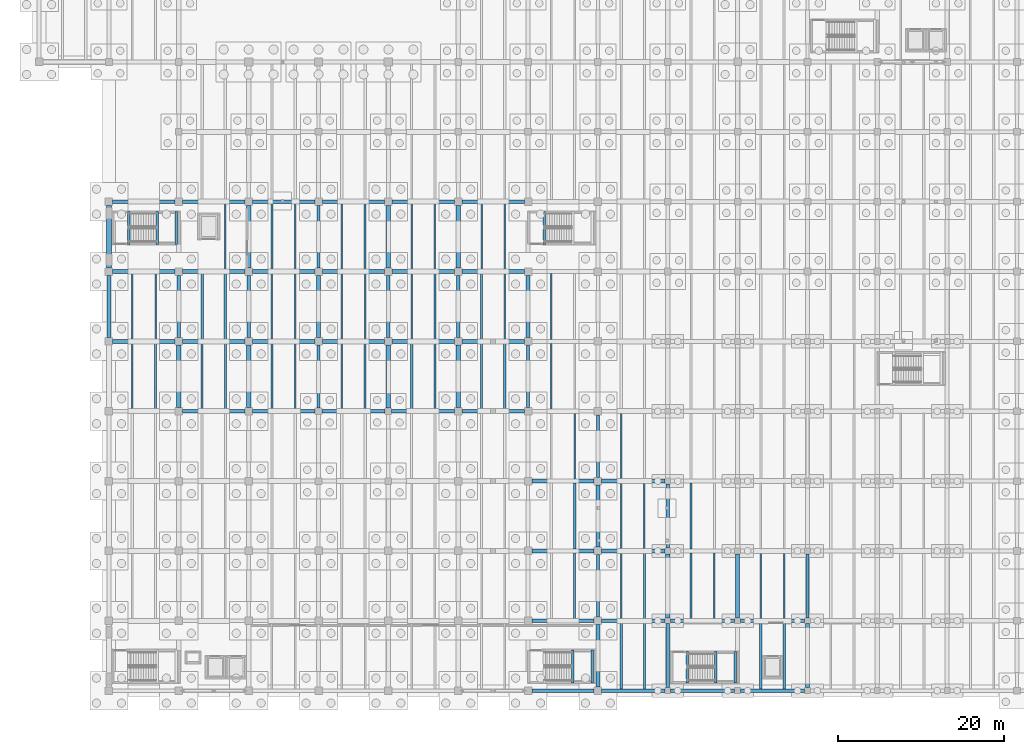
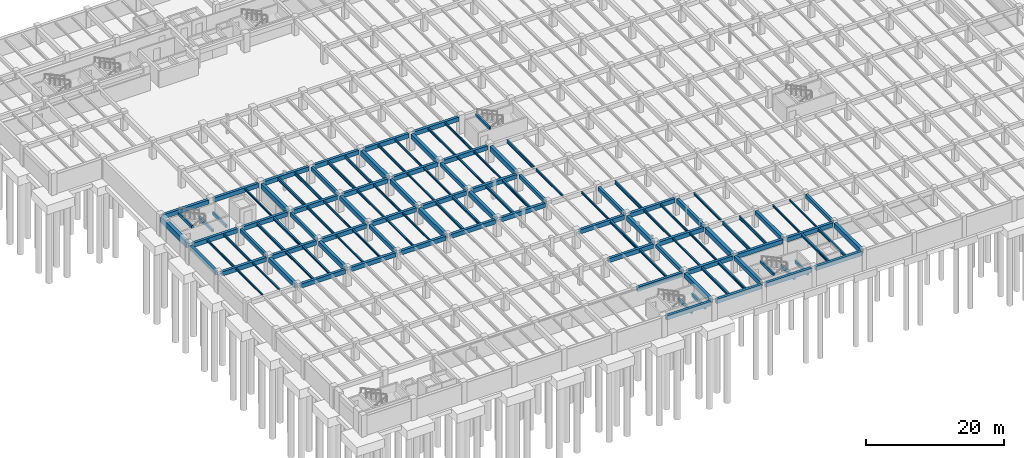
# One storey, part 25 of 70: 124 beams.
"""IFC4 building model written with IfcOpenShell, lengths in metres."""

from ifc_helpers import new_model, si_unit, direction, frame, origin, origin_2d, place, context, subcontext, project, spatial, rectangle, i_section, extrude, material, material_profile, profile_set, type_object, element, save


model = new_model("IFC4")

# Units and contexts
model_context = context("Model", 3, precision=1e-05, world=origin(), true_north=direction((0.0, 1.0)))
body_context = subcontext(model_context, "Body", "Model", "MODEL_VIEW")
ifc_project = project(units=[si_unit("LENGTHUNIT", "METRE"), si_unit("AREAUNIT", "SQUARE_METRE"), si_unit("VOLUMEUNIT", "CUBIC_METRE"), si_unit("PLANEANGLEUNIT", "RADIAN"), si_unit("MASSUNIT", "GRAM", prefix="KILO")], contexts=[model_context])

# Site, building, storey
site_placement = place(None, origin())
site = spatial("IfcSite", under=ifc_project, at=site_placement, CompositionType="ELEMENT")
building_placement = place(site_placement, origin())
building = spatial("IfcBuilding", under=site, at=building_placement, Name="Cumbredor Promenade Congress Hotel", CompositionType="ELEMENT")
storey_placement = place(building_placement, frame((0.0, 0.0, -7.56005859375)))
storey = spatial("IfcBuildingStorey", under=building, at=storey_placement, Name="B02", CompositionType="ELEMENT", Elevation=-7.56005859375)

# Beams
ifc_material_1 = material(Name="Concrete C40/50", Category="concrete")
ifc_material_profile_1 = material_profile(ifc_material_1, rectangle(XDim=0.39990234375, YDim=0.64990234375, at=origin_2d()), Name="RC BEAM 400x650")
ifc_profile_set_1 = profile_set([ifc_material_profile_1], Name="Concrete C40/50")
beam_type_1 = type_object("IfcBeamType", Name="BM-RC-400x650", PredefinedType="BEAM", material=ifc_profile_set_1)
for number, where, z_axis, x_axis, name in (
    (1, (16.800048828125, 50.85009765625, 2.635009765625), (0.0, 1.0, 0.0), (-1.0, 0.0, 0.0), "B01 Y-Grid Beam 044"),
    (2, (25.199951171875, 50.85009765625, 2.635009765625), (0.0, 1.0, 0.0), (-1.0, 0.0, 0.0), "B01 Y-Grid Beam 068"),
):
    element("IfcBeam", number, at=place(storey_placement, frame(where, z_axis=z_axis, x_axis=x_axis)), inside=storey, type_object=beam_type_1, Name=name, PredefinedType="BEAM", context=body_context, shape_type="SweptSolid", body=[
        extrude(rectangle(XDim=0.39990234375, YDim=0.64990234375, at=origin_2d()), origin(), (0.0, 0.0, 1.0), 7.5),
    ])
beam_1_placement = place(storey_placement, frame((33.60009765625, 42.39990234375, 2.635009765625), z_axis=(0.0, 1.0, 0.0), x_axis=(-1.0, 0.0, 0.0)))
element("IfcBeam", 3, at=beam_1_placement, inside=storey, type_object=beam_type_1, Name="B01 Y-Grid Beam 088", PredefinedType="BEAM", context=body_context, shape_type="SweptSolid", body=[
    extrude(rectangle(XDim=0.39990234375, YDim=0.64990234375, at=origin_2d()), origin(), (0.0, 0.0, 1.0), 7.550048828125),
])
for number, where, z_axis, x_axis, name in (
    (4, (33.60009765625, 59.25, 2.635009765625), (0.0, 1.0, 0.0), (-1.0, 0.0, 0.0), "B01 Y-Grid Beam 092"),
    (5, (50.39990234375, 50.85009765625, 2.635009765625), (0.0, 1.0, 0.0), (-1.0, 0.0, 0.0), "B01 Y-Grid Beam 136"),
    (6, (58.800048828125, 42.449951171875, 2.635009765625), (0.0, 1.0, 0.0), (-1.0, 0.0, 0.0), "B01 Y-Grid Beam 160"),
    (7, (67.199951171875, 17.25, 2.635009765625), (0.0, 1.0, 0.0), (-1.0, 0.0, 0.0), "B01 Y-Grid Beam 180"),
    (8, (67.199951171875, 34.050048828125, 2.635009765625), (0.0, 1.0, 0.0), (-1.0, 0.0, 0.0), "B01 Y-Grid Beam 184"),
):
    element("IfcBeam", number, at=place(storey_placement, frame(where, z_axis=z_axis, x_axis=x_axis)), inside=storey, type_object=beam_type_1, Name=name, PredefinedType="BEAM", context=body_context, shape_type="SweptSolid", body=[
        extrude(rectangle(XDim=0.39990234375, YDim=0.64990234375, at=origin_2d()), origin(), (0.0, 0.0, 1.0), 7.5),
    ])
beam_2_placement = place(storey_placement, frame((92.39990234375, 17.14990234375, 2.635009765625), z_axis=(0.0, 1.0, 0.0), x_axis=(-1.0, 0.0, 0.0)))
element("IfcBeam", 9, at=beam_2_placement, inside=storey, type_object=beam_type_1, Name="B01 Y-Grid Beam 260", PredefinedType="BEAM", context=body_context, shape_type="SweptSolid", body=[
    extrude(rectangle(XDim=0.39990234375, YDim=0.64990234375, at=origin_2d()), origin(), (0.0, 0.0, 1.0), 7.7001953125),
])
ifc_material_profile_2 = material_profile(ifc_material_1, rectangle(XDim=0.449951171875, YDim=0.75, at=origin_2d()), Name="RC BEAM 450x750")
ifc_profile_set_2 = profile_set([ifc_material_profile_2], Name="Concrete C40/50")
beam_type_2 = type_object("IfcBeamType", Name="BM-RC-450x750", PredefinedType="BEAM", material=ifc_profile_set_2)
for number, where, z_axis, x_axis, name in (
    (10, (8.85009765625, 50.39990234375, 2.5849609375), (1.0, 0.0, 0.0), (0.0, 1.0, 0.0), "B01 X-Grid Beam 020"),
    (11, (8.39990234375, 50.85009765625, 2.5849609375), (0.0, 1.0, 0.0), (-1.0, 0.0, 0.0), "B01 Y-Grid Beam 021"),
    (12, (8.85009765625, 58.800048828125, 2.5849609375), (1.0, 0.0, 0.0), (0.0, 1.0, 0.0), "B01 X-Grid Beam 022"),
    (13, (8.85009765625, 67.199951171875, 2.5849609375), (1.0, 0.0, 0.0), (0.0, 1.0, 0.0), "B01 X-Grid Beam 024"),
    (14, (17.25, 42.0, 2.5849609375), (1.0, 0.0, 0.0), (0.0, 1.0, 0.0), "B01 X-Grid Beam 041"),
    (15, (17.25, 50.39990234375, 2.5849609375), (1.0, 0.0, 0.0), (0.0, 1.0, 0.0), "B01 X-Grid Beam 043"),
    (16, (17.25, 58.800048828125, 2.5849609375), (1.0, 0.0, 0.0), (0.0, 1.0, 0.0), "B01 X-Grid Beam 045"),
    (17, (17.25, 67.199951171875, 2.5849609375), (1.0, 0.0, 0.0), (0.0, 1.0, 0.0), "B01 X-Grid Beam 046"),
):
    element("IfcBeam", number, at=place(storey_placement, frame(where, z_axis=z_axis, x_axis=x_axis)), inside=storey, type_object=beam_type_2, Name=name, PredefinedType="BEAM", context=body_context, shape_type="SweptSolid", body=[
        extrude(rectangle(XDim=0.449951171875, YDim=0.75, at=origin_2d()), origin(), (0.0, 0.0, 1.0), 7.5),
    ])
beam_3_placement = place(storey_placement, frame((25.64990234375, 42.0, 2.5849609375), z_axis=(1.0, 0.0, 0.0), x_axis=(0.0, 1.0, 0.0)))
element("IfcBeam", 18, at=beam_3_placement, inside=storey, type_object=beam_type_2, Name="B01 X-Grid Beam 065", PredefinedType="BEAM", context=body_context, shape_type="SweptSolid", body=[
    extrude(rectangle(XDim=0.449951171875, YDim=0.75, at=origin_2d()), origin(), (0.0, 0.0, 1.0), 7.550048828125),
])
for number, where, z_axis, x_axis, name in (
    (19, (25.64990234375, 50.39990234375, 2.5849609375), (1.0, 0.0, 0.0), (0.0, 1.0, 0.0), "B01 X-Grid Beam 067"),
    (20, (25.64990234375, 58.800048828125, 2.5849609375), (1.0, 0.0, 0.0), (0.0, 1.0, 0.0), "B01 X-Grid Beam 069"),
    (21, (25.64990234375, 67.199951171875, 2.5849609375), (1.0, 0.0, 0.0), (0.0, 1.0, 0.0), "B01 X-Grid Beam 071"),
):
    element("IfcBeam", number, at=place(storey_placement, frame(where, z_axis=z_axis, x_axis=x_axis)), inside=storey, type_object=beam_type_2, Name=name, PredefinedType="BEAM", context=body_context, shape_type="SweptSolid", body=[
        extrude(rectangle(XDim=0.449951171875, YDim=0.75, at=origin_2d()), origin(), (0.0, 0.0, 1.0), 7.5),
    ])
beam_4_placement = place(storey_placement, frame((34.0, 42.0, 2.5849609375), z_axis=(1.0, 0.0, 0.0), x_axis=(0.0, 1.0, 0.0)))
element("IfcBeam", 22, at=beam_4_placement, inside=storey, type_object=beam_type_2, Name="B01 X-Grid Beam 087", PredefinedType="BEAM", context=body_context, shape_type="SweptSolid", body=[
    extrude(rectangle(XDim=0.449951171875, YDim=0.75, at=origin_2d()), origin(), (0.0, 0.0, 1.0), 7.60009765625),
])
for number, where, z_axis, x_axis, name in (
    (23, (34.050048828125, 50.39990234375, 2.5849609375), (1.0, 0.0, 0.0), (0.0, 1.0, 0.0), "B01 X-Grid Beam 089"),
    (24, (34.050048828125, 58.800048828125, 2.5849609375), (1.0, 0.0, 0.0), (0.0, 1.0, 0.0), "B01 X-Grid Beam 091"),
    (25, (34.050048828125, 67.199951171875, 2.5849609375), (1.0, 0.0, 0.0), (0.0, 1.0, 0.0), "B01 X-Grid Beam 093"),
):
    element("IfcBeam", number, at=place(storey_placement, frame(where, z_axis=z_axis, x_axis=x_axis)), inside=storey, type_object=beam_type_2, Name=name, PredefinedType="BEAM", context=body_context, shape_type="SweptSolid", body=[
        extrude(rectangle(XDim=0.449951171875, YDim=0.75, at=origin_2d()), origin(), (0.0, 0.0, 1.0), 7.5),
    ])
beam_5_placement = place(storey_placement, frame((42.39990234375, 42.0, 2.5849609375), z_axis=(1.0, 0.0, 0.0), x_axis=(0.0, 1.0, 0.0)))
element("IfcBeam", 26, at=beam_5_placement, inside=storey, type_object=beam_type_2, Name="B01 X-Grid Beam 110", PredefinedType="BEAM", context=body_context, shape_type="SweptSolid", body=[
    extrude(rectangle(XDim=0.449951171875, YDim=0.75, at=origin_2d()), origin(), (0.0, 0.0, 1.0), 7.550048828125),
])
for number, where, z_axis, x_axis, name in (
    (27, (42.449951171875, 50.39990234375, 2.5849609375), (1.0, 0.0, 0.0), (0.0, 1.0, 0.0), "B01 X-Grid Beam 112"),
    (28, (42.0, 50.85009765625, 2.5849609375), (0.0, 1.0, 0.0), (-1.0, 0.0, 0.0), "B01 Y-Grid Beam 113"),
    (29, (42.449951171875, 58.800048828125, 2.5849609375), (1.0, 0.0, 0.0), (0.0, 1.0, 0.0), "B01 X-Grid Beam 114"),
    (30, (42.449951171875, 67.199951171875, 2.5849609375), (1.0, 0.0, 0.0), (0.0, 1.0, 0.0), "B01 X-Grid Beam 116"),
    (31, (50.85009765625, 42.0, 2.5849609375), (1.0, 0.0, 0.0), (0.0, 1.0, 0.0), "B01 X-Grid Beam 133"),
    (32, (50.85009765625, 50.39990234375, 2.5849609375), (1.0, 0.0, 0.0), (0.0, 1.0, 0.0), "B01 X-Grid Beam 135"),
    (33, (50.85009765625, 58.800048828125, 2.5849609375), (1.0, 0.0, 0.0), (0.0, 1.0, 0.0), "B01 X-Grid Beam 137"),
    (34, (50.85009765625, 67.199951171875, 2.5849609375), (1.0, 0.0, 0.0), (0.0, 1.0, 0.0), "B01 X-Grid Beam 139"),
    (35, (59.25, 8.39990234375, 2.5849609375), (1.0, 0.0, 0.0), (0.0, 1.0, 0.0), "B01 X-Grid Beam 152"),
    (36, (59.25, 16.800048828125, 2.5849609375), (1.0, 0.0, 0.0), (0.0, 1.0, 0.0), "B01 X-Grid Beam 153"),
    (37, (59.25, 25.199951171875, 2.5849609375), (1.0, 0.0, 0.0), (0.0, 1.0, 0.0), "B01 X-Grid Beam 155"),
    (38, (59.25, 33.60009765625, 2.5849609375), (1.0, 0.0, 0.0), (0.0, 1.0, 0.0), "B01 X-Grid Beam 157"),
):
    element("IfcBeam", number, at=place(storey_placement, frame(where, z_axis=z_axis, x_axis=x_axis)), inside=storey, type_object=beam_type_2, Name=name, PredefinedType="BEAM", context=body_context, shape_type="SweptSolid", body=[
        extrude(rectangle(XDim=0.449951171875, YDim=0.75, at=origin_2d()), origin(), (0.0, 0.0, 1.0), 7.5),
    ])
for number, where, z_axis, x_axis, name in (
    (39, (67.64990234375, 8.39990234375, 2.5849609375), (1.0, 0.0, 0.0), (0.0, 1.0, 0.0), "B01 X-Grid Beam 177"),
    (40, (67.64990234375, 16.800048828125, 2.5849609375), (1.0, 0.0, 0.0), (0.0, 1.0, 0.0), "B01 X-Grid Beam 179"),
    (41, (67.64990234375, 25.199951171875, 2.5849609375), (1.0, 0.0, 0.0), (0.0, 1.0, 0.0), "B01 X-Grid Beam 181"),
    (42, (67.64990234375, 33.60009765625, 2.5849609375), (1.0, 0.0, 0.0), (0.0, 1.0, 0.0), "B01 X-Grid Beam 183"),
):
    element("IfcBeam", number, at=place(storey_placement, frame(where, z_axis=z_axis, x_axis=x_axis)), inside=storey, type_object=beam_type_2, Name=name, PredefinedType="BEAM", context=body_context, shape_type="SweptSolid", body=[
        extrude(rectangle(XDim=0.449951171875, YDim=0.75, at=origin_2d()), origin(), (0.0, 0.0, 1.0), 7.60009765625),
    ])
for number, where, z_axis, x_axis, name in (
    (43, (75.949951171875, 8.39990234375, 2.5849609375), (1.0, 0.0, 0.0), (0.0, 1.0, 0.0), "B01 X-Grid Beam 204"),
    (44, (75.60009765625, 8.75, 2.5849609375), (0.0, 1.0, 0.0), (-1.0, 0.0, 0.0), "B01 Y-Grid Beam 205"),
    (45, (75.949951171875, 16.800048828125, 2.5849609375), (1.0, 0.0, 0.0), (0.0, 1.0, 0.0), "B01 X-Grid Beam 206"),
    (46, (75.60009765625, 25.550048828125, 2.5849609375), (0.0, 1.0, 0.0), (-1.0, 0.0, 0.0), "B01 Y-Grid Beam 209"),
    (47, (84.35009765625, 8.39990234375, 2.5849609375), (1.0, 0.0, 0.0), (0.0, 1.0, 0.0), "B01 X-Grid Beam 231"),
    (48, (84.35009765625, 16.800048828125, 2.5849609375), (1.0, 0.0, 0.0), (0.0, 1.0, 0.0), "B01 X-Grid Beam 232"),
):
    element("IfcBeam", number, at=place(storey_placement, frame(where, z_axis=z_axis, x_axis=x_axis)), inside=storey, type_object=beam_type_2, Name=name, PredefinedType="BEAM", context=body_context, shape_type="SweptSolid", body=[
        extrude(rectangle(XDim=0.449951171875, YDim=0.75, at=origin_2d()), origin(), (0.0, 0.0, 1.0), 7.699951171875),
    ])
beam_6_placement = place(storey_placement, frame((84.0, 17.14990234375, 2.5849609375), z_axis=(0.0, 1.0, 0.0), x_axis=(-1.0, 0.0, 0.0)))
element("IfcBeam", 49, at=beam_6_placement, inside=storey, type_object=beam_type_2, Name="B01 Y-Grid Beam 233", PredefinedType="BEAM", context=body_context, shape_type="SweptSolid", body=[
    extrude(rectangle(XDim=0.449951171875, YDim=0.75, at=origin_2d()), origin(), (0.0, 0.0, 1.0), 7.7001953125),
])
ifc_material_profile_3 = material_profile(ifc_material_1, rectangle(XDim=0.5, YDim=0.85009765625, at=origin_2d()), Name="RC BEAM 500x850")
ifc_profile_set_3 = profile_set([ifc_material_profile_3], Name="Concrete C40/50")
beam_type_3 = type_object("IfcBeamType", Name="BM-RC-500x850", PredefinedType="BEAM", material=ifc_profile_set_3)
for number, where, z_axis, x_axis, name in (
    (50, (16.800048828125, 42.449951171875, 2.53515625), (0.0, 1.0, 0.0), (-1.0, 0.0, 0.0), "B01 Y-Grid Beam 042"),
    (51, (25.199951171875, 42.449951171875, 2.53515625), (0.0, 1.0, 0.0), (-1.0, 0.0, 0.0), "B01 Y-Grid Beam 066"),
    (52, (25.199951171875, 59.25, 2.53515625), (0.0, 1.0, 0.0), (-1.0, 0.0, 0.0), "B01 Y-Grid Beam 070"),
    (53, (33.60009765625, 50.85009765625, 2.53515625), (0.0, 1.0, 0.0), (-1.0, 0.0, 0.0), "B01 Y-Grid Beam 090"),
    (54, (50.39990234375, 42.449951171875, 2.53515625), (0.0, 1.0, 0.0), (-1.0, 0.0, 0.0), "B01 Y-Grid Beam 134"),
    (55, (50.39990234375, 59.25, 2.53515625), (0.0, 1.0, 0.0), (-1.0, 0.0, 0.0), "B01 Y-Grid Beam 138"),
    (56, (58.800048828125, 50.85009765625, 2.53515625), (0.0, 1.0, 0.0), (-1.0, 0.0, 0.0), "B01 Y-Grid Beam 162"),
    (57, (67.199951171875, 8.85009765625, 2.53515625), (0.0, 1.0, 0.0), (-1.0, 0.0, 0.0), "B01 Y-Grid Beam 178"),
    (58, (67.199951171875, 25.64990234375, 2.53515625), (0.0, 1.0, 0.0), (-1.0, 0.0, 0.0), "B01 Y-Grid Beam 182"),
):
    element("IfcBeam", number, at=place(storey_placement, frame(where, z_axis=z_axis, x_axis=x_axis)), inside=storey, type_object=beam_type_3, Name=name, PredefinedType="BEAM", context=body_context, shape_type="SweptSolid", body=[
        extrude(rectangle(XDim=0.5, YDim=0.85009765625, at=origin_2d()), origin(), (0.0, 0.0, 1.0), 7.5),
    ])
beam_7_placement = place(storey_placement, frame((92.39990234375, 8.75, 2.53515625), z_axis=(0.0, 1.0, 0.0), x_axis=(-1.0, 0.0, 0.0)))
element("IfcBeam", 59, at=beam_7_placement, inside=storey, type_object=beam_type_3, Name="B01 Y-Grid Beam 258", PredefinedType="BEAM", context=body_context, shape_type="SweptSolid", body=[
    extrude(rectangle(XDim=0.5, YDim=0.85009765625, at=origin_2d()), origin(), (0.0, 0.0, 1.0), 7.699951171875),
])
ifc_material_profile_4 = material_profile(ifc_material_1, rectangle(XDim=0.550048828125, YDim=0.949951171875, at=origin_2d()), Name="RC BEAM 550x950")
ifc_profile_set_4 = profile_set([ifc_material_profile_4], Name="Concrete C40/50")
beam_type_4 = type_object("IfcBeamType", Name="BM-RC-550x950", PredefinedType="BEAM", material=ifc_profile_set_4)
beam_8_placement = place(storey_placement, frame((8.39990234375, 59.25, 2.485107421875), z_axis=(0.0, 1.0, 0.0), x_axis=(-1.0, 0.0, 0.0)))
element("IfcBeam", 60, at=beam_8_placement, inside=storey, type_object=beam_type_4, Name="B01 Y-Grid Beam 023", PredefinedType="BEAM", context=body_context, shape_type="SweptSolid", body=[
    extrude(rectangle(XDim=0.550048828125, YDim=0.949951171875, at=origin_2d()), origin(), (0.0, 0.0, 1.0), 7.5),
])
beam_9_placement = place(storey_placement, frame((42.0, 42.39990234375, 2.485107421875), z_axis=(0.0, 1.0, 0.0), x_axis=(-1.0, 0.0, 0.0)))
element("IfcBeam", 61, at=beam_9_placement, inside=storey, type_object=beam_type_4, Name="B01 Y-Grid Beam 111", PredefinedType="BEAM", context=body_context, shape_type="SweptSolid", body=[
    extrude(rectangle(XDim=0.550048828125, YDim=0.949951171875, at=origin_2d()), origin(), (0.0, 0.0, 1.0), 7.550048828125),
])
beam_10_placement = place(storey_placement, frame((42.0, 59.25, 2.485107421875), z_axis=(0.0, 1.0, 0.0), x_axis=(-1.0, 0.0, 0.0)))
element("IfcBeam", 62, at=beam_10_placement, inside=storey, type_object=beam_type_4, Name="B01 Y-Grid Beam 115", PredefinedType="BEAM", context=body_context, shape_type="SweptSolid", body=[
    extrude(rectangle(XDim=0.550048828125, YDim=0.949951171875, at=origin_2d()), origin(), (0.0, 0.0, 1.0), 7.5),
])
beam_11_placement = place(storey_placement, frame((75.60009765625, 17.14990234375, 2.485107421875), z_axis=(0.0, 1.0, 0.0), x_axis=(-1.0, 0.0, 0.0)))
element("IfcBeam", 63, at=beam_11_placement, inside=storey, type_object=beam_type_4, Name="B01 Y-Grid Beam 207", PredefinedType="BEAM", context=body_context, shape_type="SweptSolid", body=[
    extrude(rectangle(XDim=0.550048828125, YDim=0.949951171875, at=origin_2d()), origin(), (0.0, 0.0, 1.0), 7.7001953125),
])
ifc_material_2 = material(Name="Steel ASTM A992 Grade 50", Category="steel")
ifc_material_profile_5 = material_profile(ifc_material_2, i_section(OverallWidth=0.202880859375, OverallDepth=0.302978515625, WebThickness=0.007568359375, FlangeThickness=0.01318359375, at=origin_2d()), Name="W12X40")
ifc_profile_set_5 = profile_set([ifc_material_profile_5], Name="Steel ASTM A992 Grade 50")
beam_type_5 = type_object("IfcBeamType", Name="JST-W12X40", PredefinedType="JOIST", material=ifc_profile_set_5)
for number, where, z_axis, x_axis, name in (
    (64, (11.199951171875, 42.22509765625, 2.80859375), (0.0, 1.0, 0.0), (-1.0, 0.0, 0.0), "B01 Secondary Floor Joist 0015"),
    (65, (14.0, 42.22509765625, 2.80859375), (0.0, 1.0, 0.0), (-1.0, 0.0, 0.0), "B01 Secondary Floor Joist 0016"),
):
    element("IfcBeam", number, at=place(storey_placement, frame(where, z_axis=z_axis, x_axis=x_axis)), inside=storey, type_object=beam_type_5, Name=name, PredefinedType="JOIST", context=body_context, shape_type="SweptSolid", body=[
        extrude(i_section(OverallWidth=0.202880859375, OverallDepth=0.302978515625, WebThickness=0.007568359375, FlangeThickness=0.01318359375, at=origin_2d()), origin(), (0.0, 0.0, 1.0), 7.949951171875),
    ])
beam_12_placement = place(storey_placement, frame((22.39990234375, 59.02490234375, 2.80859375), z_axis=(0.0, 1.0, 0.0), x_axis=(-1.0, 0.0, 0.0)))
element("IfcBeam", 66, at=beam_12_placement, inside=storey, type_object=beam_type_5, Name="B01 Secondary Floor Joist 0035", PredefinedType="JOIST", context=body_context, shape_type="SweptSolid", body=[
    extrude(i_section(OverallWidth=0.202880859375, OverallDepth=0.302978515625, WebThickness=0.007568359375, FlangeThickness=0.01318359375, at=origin_2d()), origin(), (0.0, 0.0, 1.0), 7.9501953125),
])
for number, where, z_axis, x_axis, name in (
    (67, (28.0, 42.22509765625, 2.80859375), (0.0, 1.0, 0.0), (-1.0, 0.0, 0.0), "B01 Secondary Floor Joist 0050"),
    (68, (30.800048828125, 42.22509765625, 2.80859375), (0.0, 1.0, 0.0), (-1.0, 0.0, 0.0), "B01 Secondary Floor Joist 0051"),
    (69, (36.39990234375, 42.22509765625, 2.80859375), (0.0, 1.0, 0.0), (-1.0, 0.0, 0.0), "B01 Secondary Floor Joist 0070"),
    (70, (39.199951171875, 42.22509765625, 2.80859375), (0.0, 1.0, 0.0), (-1.0, 0.0, 0.0), "B01 Secondary Floor Joist 0071"),
    (71, (44.800048828125, 50.625, 2.80859375), (0.0, 1.0, 0.0), (-1.0, 0.0, 0.0), "B01 Secondary Floor Joist 0090"),
    (72, (47.60009765625, 50.625, 2.80859375), (0.0, 1.0, 0.0), (-1.0, 0.0, 0.0), "B01 Secondary Floor Joist 0091"),
    (73, (53.199951171875, 50.625, 2.80859375), (0.0, 1.0, 0.0), (-1.0, 0.0, 0.0), "B01 Secondary Floor Joist 0110"),
    (74, (56.0, 50.625, 2.80859375), (0.0, 1.0, 0.0), (-1.0, 0.0, 0.0), "B01 Secondary Floor Joist 0111"),
    (75, (64.39990234375, 33.824951171875, 2.80859375), (0.0, 1.0, 0.0), (-1.0, 0.0, 0.0), "B01 Secondary Floor Joist 0131"),
):
    element("IfcBeam", number, at=place(storey_placement, frame(where, z_axis=z_axis, x_axis=x_axis)), inside=storey, type_object=beam_type_5, Name=name, PredefinedType="JOIST", context=body_context, shape_type="SweptSolid", body=[
        extrude(i_section(OverallWidth=0.202880859375, OverallDepth=0.302978515625, WebThickness=0.007568359375, FlangeThickness=0.01318359375, at=origin_2d()), origin(), (0.0, 0.0, 1.0), 7.949951171875),
    ])
for number, where, z_axis, x_axis, name in (
    (76, (70.0, 17.02490234375, 2.80859375), (0.0, 1.0, 0.0), (-1.0, 0.0, 0.0), "B01 Secondary Floor Joist 0150"),
    (77, (72.800048828125, 17.02490234375, 2.80859375), (0.0, 1.0, 0.0), (-1.0, 0.0, 0.0), "B01 Secondary Floor Joist 0151"),
    (78, (86.800048828125, 17.02490234375, 2.80859375), (0.0, 1.0, 0.0), (-1.0, 0.0, 0.0), "B01 Secondary Floor Joist 0200"),
    (79, (89.60009765625, 17.02490234375, 2.80859375), (0.0, 1.0, 0.0), (-1.0, 0.0, 0.0), "B01 Secondary Floor Joist 0201"),
):
    element("IfcBeam", number, at=place(storey_placement, frame(where, z_axis=z_axis, x_axis=x_axis)), inside=storey, type_object=beam_type_5, Name=name, PredefinedType="JOIST", context=body_context, shape_type="SweptSolid", body=[
        extrude(i_section(OverallWidth=0.202880859375, OverallDepth=0.302978515625, WebThickness=0.007568359375, FlangeThickness=0.01318359375, at=origin_2d()), origin(), (0.0, 0.0, 1.0), 7.9501953125),
    ])
ifc_material_profile_6 = material_profile(ifc_material_2, i_section(OverallWidth=0.2548828125, OverallDepth=0.35693359375, WebThickness=0.010498046875, FlangeThickness=0.018310546875, at=origin_2d()), Name="W14X68")
ifc_profile_set_6 = profile_set([ifc_material_profile_6], Name="Steel ASTM A992 Grade 50")
beam_type_6 = type_object("IfcBeamType", Name="JST-W14X68", PredefinedType="JOIST", material=ifc_profile_set_6)
for number, where, z_axis, x_axis, name in (
    (80, (19.60009765625, 42.22509765625, 2.781494140625), (0.0, 1.0, 0.0), (-1.0, 0.0, 0.0), "B01 Secondary Floor Joist 0031"),
    (81, (22.39990234375, 42.22509765625, 2.781494140625), (0.0, 1.0, 0.0), (-1.0, 0.0, 0.0), "B01 Secondary Floor Joist 0032"),
):
    element("IfcBeam", number, at=place(storey_placement, frame(where, z_axis=z_axis, x_axis=x_axis)), inside=storey, type_object=beam_type_6, Name=name, PredefinedType="JOIST", context=body_context, shape_type="SweptSolid", body=[
        extrude(i_section(OverallWidth=0.2548828125, OverallDepth=0.35693359375, WebThickness=0.010498046875, FlangeThickness=0.018310546875, at=origin_2d()), origin(), (0.0, 0.0, 1.0), 7.949951171875),
    ])
beam_13_placement = place(storey_placement, frame((64.39990234375, 17.02490234375, 2.781494140625), z_axis=(0.0, 1.0, 0.0), x_axis=(-1.0, 0.0, 0.0)))
element("IfcBeam", 82, at=beam_13_placement, inside=storey, type_object=beam_type_6, Name="B01 Secondary Floor Joist 0127", PredefinedType="JOIST", context=body_context, shape_type="SweptSolid", body=[
    extrude(i_section(OverallWidth=0.2548828125, OverallDepth=0.35693359375, WebThickness=0.010498046875, FlangeThickness=0.018310546875, at=origin_2d()), origin(), (0.0, 0.0, 1.0), 7.9501953125),
])
beam_14_placement = place(storey_placement, frame((78.39990234375, 25.425048828125, 2.781494140625), z_axis=(0.0, 1.0, 0.0), x_axis=(-1.0, 0.0, 0.0)))
element("IfcBeam", 83, at=beam_14_placement, inside=storey, type_object=beam_type_6, Name="B01 Secondary Floor Joist 0176", PredefinedType="JOIST", context=body_context, shape_type="SweptSolid", body=[
    extrude(i_section(OverallWidth=0.2548828125, OverallDepth=0.35693359375, WebThickness=0.010498046875, FlangeThickness=0.018310546875, at=origin_2d()), origin(), (0.0, 0.0, 1.0), 7.949951171875),
])
ifc_material_profile_7 = material_profile(ifc_material_2, i_section(OverallWidth=0.180908203125, OverallDepth=0.4169921875, WebThickness=0.010986328125, FlangeThickness=0.018310546875, at=origin_2d()), Name="W16X57")
ifc_profile_set_7 = profile_set([ifc_material_profile_7], Name="Steel ASTM A992 Grade 50")
beam_type_7 = type_object("IfcBeamType", Name="JST-W16X57", PredefinedType="JOIST", material=ifc_profile_set_7)
for number, where, z_axis, x_axis, name in (
    (84, (11.199951171875, 50.625, 2.75146484375), (0.0, 1.0, 0.0), (-1.0, 0.0, 0.0), "B01 Secondary Floor Joist 0017"),
    (85, (14.0, 50.625, 2.75146484375), (0.0, 1.0, 0.0), (-1.0, 0.0, 0.0), "B01 Secondary Floor Joist 0018"),
    (86, (28.0, 50.625, 2.75146484375), (0.0, 1.0, 0.0), (-1.0, 0.0, 0.0), "B01 Secondary Floor Joist 0052"),
    (87, (30.800048828125, 50.625, 2.75146484375), (0.0, 1.0, 0.0), (-1.0, 0.0, 0.0), "B01 Secondary Floor Joist 0053"),
    (88, (36.39990234375, 50.625, 2.75146484375), (0.0, 1.0, 0.0), (-1.0, 0.0, 0.0), "B01 Secondary Floor Joist 0072"),
    (89, (39.199951171875, 50.625, 2.75146484375), (0.0, 1.0, 0.0), (-1.0, 0.0, 0.0), "B01 Secondary Floor Joist 0073"),
):
    element("IfcBeam", number, at=place(storey_placement, frame(where, z_axis=z_axis, x_axis=x_axis)), inside=storey, type_object=beam_type_7, Name=name, PredefinedType="JOIST", context=body_context, shape_type="SweptSolid", body=[
        extrude(i_section(OverallWidth=0.180908203125, OverallDepth=0.4169921875, WebThickness=0.010986328125, FlangeThickness=0.018310546875, at=origin_2d()), origin(), (0.0, 0.0, 1.0), 7.949951171875),
    ])
for number, where, z_axis, x_axis, name in (
    (90, (44.800048828125, 59.02490234375, 2.75146484375), (0.0, 1.0, 0.0), (-1.0, 0.0, 0.0), "B01 Secondary Floor Joist 0092"),
    (91, (47.60009765625, 59.02490234375, 2.75146484375), (0.0, 1.0, 0.0), (-1.0, 0.0, 0.0), "B01 Secondary Floor Joist 0093"),
    (92, (53.199951171875, 59.02490234375, 2.75146484375), (0.0, 1.0, 0.0), (-1.0, 0.0, 0.0), "B01 Secondary Floor Joist 0112"),
    (93, (56.0, 59.02490234375, 2.75146484375), (0.0, 1.0, 0.0), (-1.0, 0.0, 0.0), "B01 Secondary Floor Joist 0113"),
):
    element("IfcBeam", number, at=place(storey_placement, frame(where, z_axis=z_axis, x_axis=x_axis)), inside=storey, type_object=beam_type_7, Name=name, PredefinedType="JOIST", context=body_context, shape_type="SweptSolid", body=[
        extrude(i_section(OverallWidth=0.180908203125, OverallDepth=0.4169921875, WebThickness=0.010986328125, FlangeThickness=0.018310546875, at=origin_2d()), origin(), (0.0, 0.0, 1.0), 7.9501953125),
    ])
for number, where, z_axis, x_axis, name in (
    (94, (61.60009765625, 42.22509765625, 2.75146484375), (0.0, 1.0, 0.0), (-1.0, 0.0, 0.0), "B01 Secondary Floor Joist 0132"),
    (95, (70.0, 25.425048828125, 2.75146484375), (0.0, 1.0, 0.0), (-1.0, 0.0, 0.0), "B01 Secondary Floor Joist 0152"),
    (96, (72.800048828125, 25.425048828125, 2.75146484375), (0.0, 1.0, 0.0), (-1.0, 0.0, 0.0), "B01 Secondary Floor Joist 0153"),
):
    element("IfcBeam", number, at=place(storey_placement, frame(where, z_axis=z_axis, x_axis=x_axis)), inside=storey, type_object=beam_type_7, Name=name, PredefinedType="JOIST", context=body_context, shape_type="SweptSolid", body=[
        extrude(i_section(OverallWidth=0.180908203125, OverallDepth=0.4169921875, WebThickness=0.010986328125, FlangeThickness=0.018310546875, at=origin_2d()), origin(), (0.0, 0.0, 1.0), 7.949951171875),
    ])
ifc_material_profile_8 = material_profile(ifc_material_2, i_section(OverallWidth=0.280029296875, OverallDepth=0.462890625, WebThickness=0.0107421875, FlangeThickness=0.017333984375, at=origin_2d()), Name="W18X76")
ifc_profile_set_8 = profile_set([ifc_material_profile_8], Name="Steel ASTM A992 Grade 50")
beam_type_8 = type_object("IfcBeamType", Name="JST-W18X76", PredefinedType="JOIST", material=ifc_profile_set_8)
for number, where, z_axis, x_axis, name in (
    (97, (19.60009765625, 50.625, 2.728515625), (0.0, 1.0, 0.0), (-1.0, 0.0, 0.0), "B01 Secondary Floor Joist 0033"),
    (98, (22.39990234375, 50.625, 2.728515625), (0.0, 1.0, 0.0), (-1.0, 0.0, 0.0), "B01 Secondary Floor Joist 0034"),
    (99, (44.800048828125, 42.22509765625, 2.728515625), (0.0, 1.0, 0.0), (-1.0, 0.0, 0.0), "B01 Secondary Floor Joist 0088"),
    (100, (47.60009765625, 42.22509765625, 2.728515625), (0.0, 1.0, 0.0), (-1.0, 0.0, 0.0), "B01 Secondary Floor Joist 0089"),
    (101, (53.199951171875, 42.22509765625, 2.728515625), (0.0, 1.0, 0.0), (-1.0, 0.0, 0.0), "B01 Secondary Floor Joist 0108"),
    (102, (56.0, 42.22509765625, 2.728515625), (0.0, 1.0, 0.0), (-1.0, 0.0, 0.0), "B01 Secondary Floor Joist 0109"),
    (103, (64.39990234375, 25.425048828125, 2.728515625), (0.0, 1.0, 0.0), (-1.0, 0.0, 0.0), "B01 Secondary Floor Joist 0129"),
    (104, (70.0, 8.625, 2.728515625), (0.0, 1.0, 0.0), (-1.0, 0.0, 0.0), "B01 Secondary Floor Joist 0148"),
    (105, (72.800048828125, 8.625, 2.728515625), (0.0, 1.0, 0.0), (-1.0, 0.0, 0.0), "B01 Secondary Floor Joist 0149"),
    (106, (86.800048828125, 8.625, 2.728515625), (0.0, 1.0, 0.0), (-1.0, 0.0, 0.0), "B01 Secondary Floor Joist 0198"),
    (107, (89.60009765625, 8.625, 2.728515625), (0.0, 1.0, 0.0), (-1.0, 0.0, 0.0), "B01 Secondary Floor Joist 0199"),
):
    element("IfcBeam", number, at=place(storey_placement, frame(where, z_axis=z_axis, x_axis=x_axis)), inside=storey, type_object=beam_type_8, Name=name, PredefinedType="JOIST", context=body_context, shape_type="SweptSolid", body=[
        extrude(i_section(OverallWidth=0.280029296875, OverallDepth=0.462890625, WebThickness=0.0107421875, FlangeThickness=0.017333984375, at=origin_2d()), origin(), (0.0, 0.0, 1.0), 7.949951171875),
    ])
ifc_material_profile_9 = material_profile(ifc_material_2, i_section(OverallWidth=0.214111328125, OverallDepth=0.549072265625, WebThickness=0.0146484375, FlangeThickness=0.023681640625, at=origin_2d()), Name="W21X93")
ifc_profile_set_9 = profile_set([ifc_material_profile_9], Name="Steel ASTM A992 Grade 50")
beam_type_9 = type_object("IfcBeamType", Name="JST-W21X93", PredefinedType="JOIST", material=ifc_profile_set_9)
for number, where, z_axis, x_axis, name in (
    (108, (28.0, 59.02490234375, 2.685546875), (0.0, 1.0, 0.0), (-1.0, 0.0, 0.0), "B01 Secondary Floor Joist 0054"),
    (109, (30.800048828125, 59.02490234375, 2.685546875), (0.0, 1.0, 0.0), (-1.0, 0.0, 0.0), "B01 Secondary Floor Joist 0055"),
    (110, (36.39990234375, 59.02490234375, 2.685546875), (0.0, 1.0, 0.0), (-1.0, 0.0, 0.0), "B01 Secondary Floor Joist 0074"),
    (111, (39.199951171875, 59.02490234375, 2.685546875), (0.0, 1.0, 0.0), (-1.0, 0.0, 0.0), "B01 Secondary Floor Joist 0075"),
):
    element("IfcBeam", number, at=place(storey_placement, frame(where, z_axis=z_axis, x_axis=x_axis)), inside=storey, type_object=beam_type_9, Name=name, PredefinedType="JOIST", context=body_context, shape_type="SweptSolid", body=[
        extrude(i_section(OverallWidth=0.214111328125, OverallDepth=0.549072265625, WebThickness=0.0146484375, FlangeThickness=0.023681640625, at=origin_2d()), origin(), (0.0, 0.0, 1.0), 7.9501953125),
    ])
for number, where, z_axis, x_axis, name in (
    (112, (61.60009765625, 50.625, 2.685546875), (0.0, 1.0, 0.0), (-1.0, 0.0, 0.0), "B01 Secondary Floor Joist 0134"),
    (113, (70.0, 33.824951171875, 2.685546875), (0.0, 1.0, 0.0), (-1.0, 0.0, 0.0), "B01 Secondary Floor Joist 0154"),
):
    element("IfcBeam", number, at=place(storey_placement, frame(where, z_axis=z_axis, x_axis=x_axis)), inside=storey, type_object=beam_type_9, Name=name, PredefinedType="JOIST", context=body_context, shape_type="SweptSolid", body=[
        extrude(i_section(OverallWidth=0.214111328125, OverallDepth=0.549072265625, WebThickness=0.0146484375, FlangeThickness=0.023681640625, at=origin_2d()), origin(), (0.0, 0.0, 1.0), 7.949951171875),
    ])
for number, where, z_axis, x_axis, name in (
    (114, (78.39990234375, 17.02490234375, 2.685546875), (0.0, 1.0, 0.0), (-1.0, 0.0, 0.0), "B01 Secondary Floor Joist 0174"),
    (115, (81.199951171875, 17.02490234375, 2.685546875), (0.0, 1.0, 0.0), (-1.0, 0.0, 0.0), "B01 Secondary Floor Joist 0175"),
):
    element("IfcBeam", number, at=place(storey_placement, frame(where, z_axis=z_axis, x_axis=x_axis)), inside=storey, type_object=beam_type_9, Name=name, PredefinedType="JOIST", context=body_context, shape_type="SweptSolid", body=[
        extrude(i_section(OverallWidth=0.214111328125, OverallDepth=0.549072265625, WebThickness=0.0146484375, FlangeThickness=0.023681640625, at=origin_2d()), origin(), (0.0, 0.0, 1.0), 7.9501953125),
    ])
ifc_material_profile_10 = material_profile(ifc_material_1, rectangle(XDim=0.300048828125, YDim=0.5, at=origin_2d()), Name="RC LINTEL 300x500")
ifc_profile_set_10 = profile_set([ifc_material_profile_10], Name="Concrete C40/50")
beam_type_10 = type_object("IfcBeamType", Name="LN-RC-300x500", PredefinedType="LINTEL", material=ifc_profile_set_10)
for number, where, z_axis, x_axis, name in (
    (116, (66.5, 9.330078125, 1.22998046875), (0.0, 1.0, 0.0), (-1.0, 0.0, 0.0), "B02 Stair ST-05 Landing Ledger Beam E"),
    (117, (64.199951171875, 9.330078125, 1.22998046875), (0.0, 1.0, 0.0), (-1.0, 0.0, 0.0), "B02 Stair ST-05 Landing Ledger Beam W"),
):
    element("IfcBeam", number, at=place(storey_placement, frame(where, z_axis=z_axis, x_axis=x_axis)), inside=storey, type_object=beam_type_10, Name=name, PredefinedType="LINTEL", context=body_context, shape_type="SweptSolid", body=[
        extrude(rectangle(XDim=0.300048828125, YDim=0.5, at=origin_2d()), origin(), (0.0, 0.0, 1.0), 3.969970703125),
    ])
for number, where, z_axis, x_axis, name in (
    (118, (16.5, 62.050048828125, 1.22998046875), (0.0, 1.0, 0.0), (-1.0, 0.0, 0.0), "B02 Stair ST-06 Landing Ledger Beam E"),
    (119, (14.199951171875, 62.050048828125, 1.22998046875), (0.0, 1.0, 0.0), (-1.0, 0.0, 0.0), "B02 Stair ST-06 Landing Ledger Beam W"),
    (120, (10.75, 62.050048828125, 3.110107421875), (0.0, 1.0, 0.0), (-1.0, 0.0, 0.0), "B01 Stair ST-06 Well Header Trimmer Beam"),
    (121, (60.75, 62.050048828125, 3.110107421875), (0.0, 1.0, 0.0), (-1.0, 0.0, 0.0), "B01 Stair ST-07 Well Header Trimmer Beam"),
):
    element("IfcBeam", number, at=place(storey_placement, frame(where, z_axis=z_axis, x_axis=x_axis)), inside=storey, type_object=beam_type_10, Name=name, PredefinedType="LINTEL", context=body_context, shape_type="SweptSolid", body=[
        extrude(rectangle(XDim=0.300048828125, YDim=0.5, at=origin_2d()), origin(), (0.0, 0.0, 1.0), 3.949951171875),
    ])
for number, where, z_axis, x_axis, name in (
    (122, (83.699951171875, 9.330078125, 1.22998046875), (0.0, 1.0, 0.0), (-1.0, 0.0, 0.0), "B02 Stair ST-11 Landing Ledger Beam E"),
    (123, (81.39990234375, 9.330078125, 1.22998046875), (0.0, 1.0, 0.0), (-1.0, 0.0, 0.0), "B02 Stair ST-11 Landing Ledger Beam W"),
    (124, (77.949951171875, 9.330078125, 3.110107421875), (0.0, 1.0, 0.0), (-1.0, 0.0, 0.0), "B01 Stair ST-11 Well Header Trimmer Beam"),
):
    element("IfcBeam", number, at=place(storey_placement, frame(where, z_axis=z_axis, x_axis=x_axis)), inside=storey, type_object=beam_type_10, Name=name, PredefinedType="LINTEL", context=body_context, shape_type="SweptSolid", body=[
        extrude(rectangle(XDim=0.300048828125, YDim=0.5, at=origin_2d()), origin(), (0.0, 0.0, 1.0), 3.77001953125),
    ])

save(model, "model.ifc")
